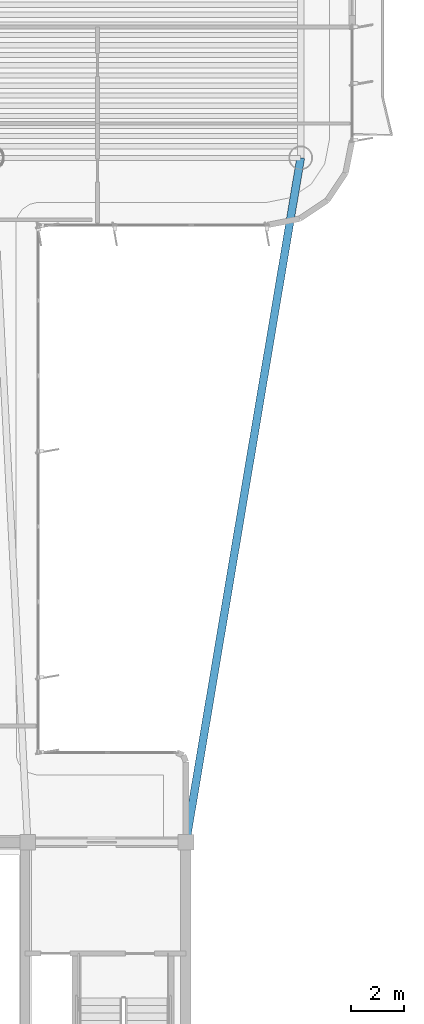
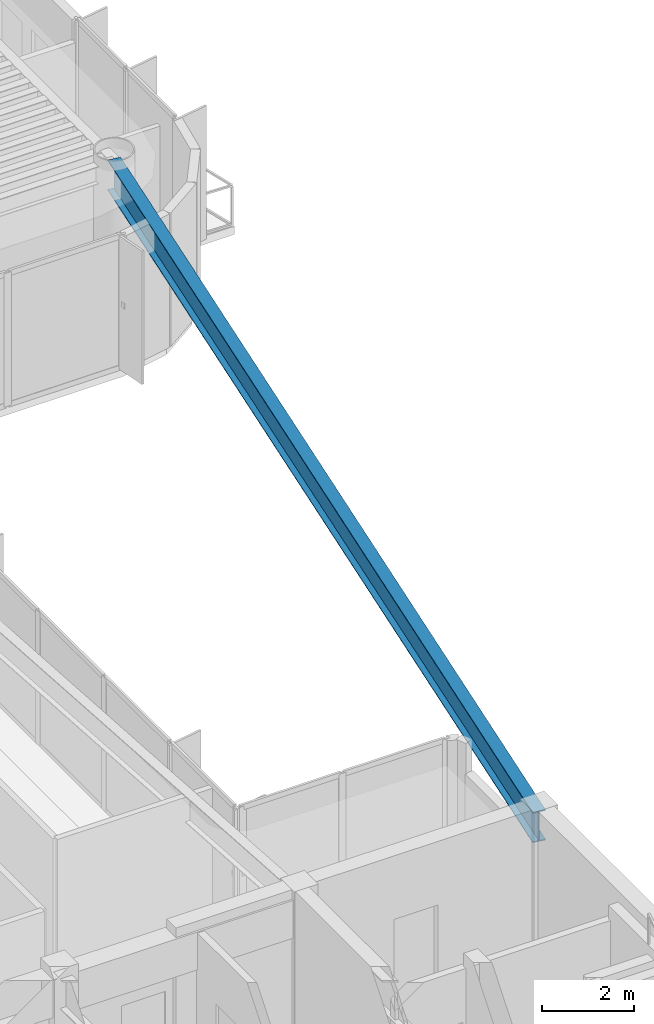
# One storey, part 4 of 15: 1 beam.
"""IFC4 building model written with IfcOpenShell, lengths in metres."""

from ifc_helpers import new_model, si_unit, direction, frame, origin, origin_2d, place, context, subcontext, project, spatial, i_section, extrude, source, transform, mapped, material, material_profile, profile_set, type_object, element, save


model = new_model("IFC4")

# Units and contexts
model_context = context("Model", 3, precision=1e-05, world=origin(), true_north=direction((0.0, 1.0)))
body_context = subcontext(model_context, "Body", "Model", "MODEL_VIEW")
ifc_project = project(units=[si_unit("LENGTHUNIT", "METRE"), si_unit("AREAUNIT", "SQUARE_METRE"), si_unit("VOLUMEUNIT", "CUBIC_METRE"), si_unit("PLANEANGLEUNIT", "RADIAN"), si_unit("MASSUNIT", "GRAM", prefix="KILO")], contexts=[model_context])

# Site, building, storey
site_placement = place(None, origin())
site = spatial("IfcSite", under=ifc_project, at=site_placement, CompositionType="ELEMENT")
building_placement = place(site_placement, origin())
building = spatial("IfcBuilding", under=site, at=building_placement, Name="Brelvock Crest Care Tower", CompositionType="ELEMENT")
storey_placement = place(building_placement, frame((0.0, 0.0, 249.47998046875)))
storey = spatial("IfcBuildingStorey", under=building, at=storey_placement, Name="L63", CompositionType="ELEMENT", Elevation=249.47998046875)

# Beam
ifc_material = material(Name="Steel Grade 350", Category="steel")
ifc_material_profile = material_profile(ifc_material, i_section(OverallWidth=0.300048828125, OverallDepth=0.800048828125, WebThickness=0.013916015625, FlangeThickness=0.02197265625, at=origin_2d()), Name="800WB192")
ifc_profile_set = profile_set([ifc_material_profile], Name="Steel Grade 350")
beam_type = type_object("IfcBeamType", Name="BM-G5", PredefinedType="BEAM", material=ifc_profile_set)
shared_shape = source(origin(), body_context, "Body", "SweptSolid", [
    extrude(i_section(OverallWidth=0.300048828125, OverallDepth=0.800048828125, WebThickness=0.013916015625, FlangeThickness=0.02197265625, at=origin_2d()), origin(), (0.0, 0.0, 1.0), 26.31201171875),
])
beam_placement = place(storey_placement, frame((48.0, 18.0, 3.130126953125), z_axis=(0.165327282709, 0.986238758918, 0.0), x_axis=(-0.986238758918, 0.165327282709, 0.0)))
element("IfcBeam", 1, at=beam_placement, inside=storey, type_object=beam_type, Name="BM-THRO-E-L63", PredefinedType="BEAM", context=body_context, shape_type="MappedRepresentation", body=[
    mapped(shared_shape, transform((0.0, 0.0, 0.0), x_axis=(1.0, 0.0, 0.0), y_axis=(0.0, 1.0, 0.0), z_axis=(0.0, 0.0, 1.0), scale=1.0)),
])

save(model, "model.ifc")
